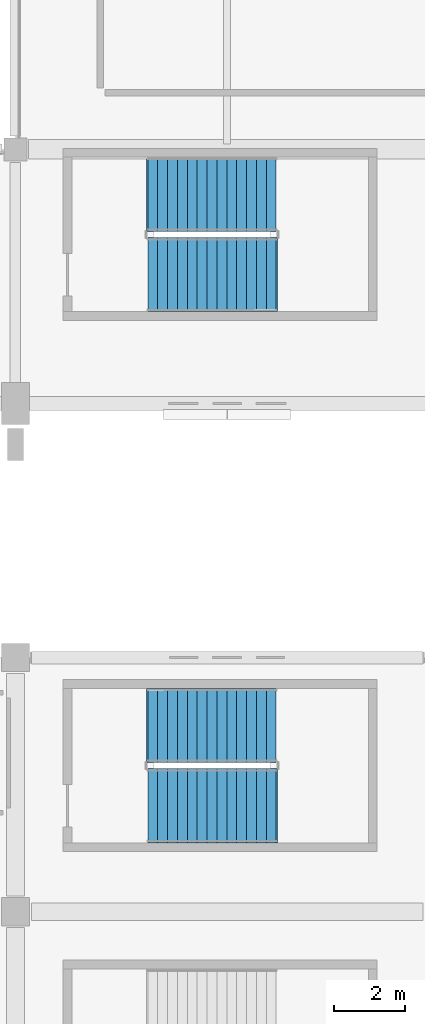
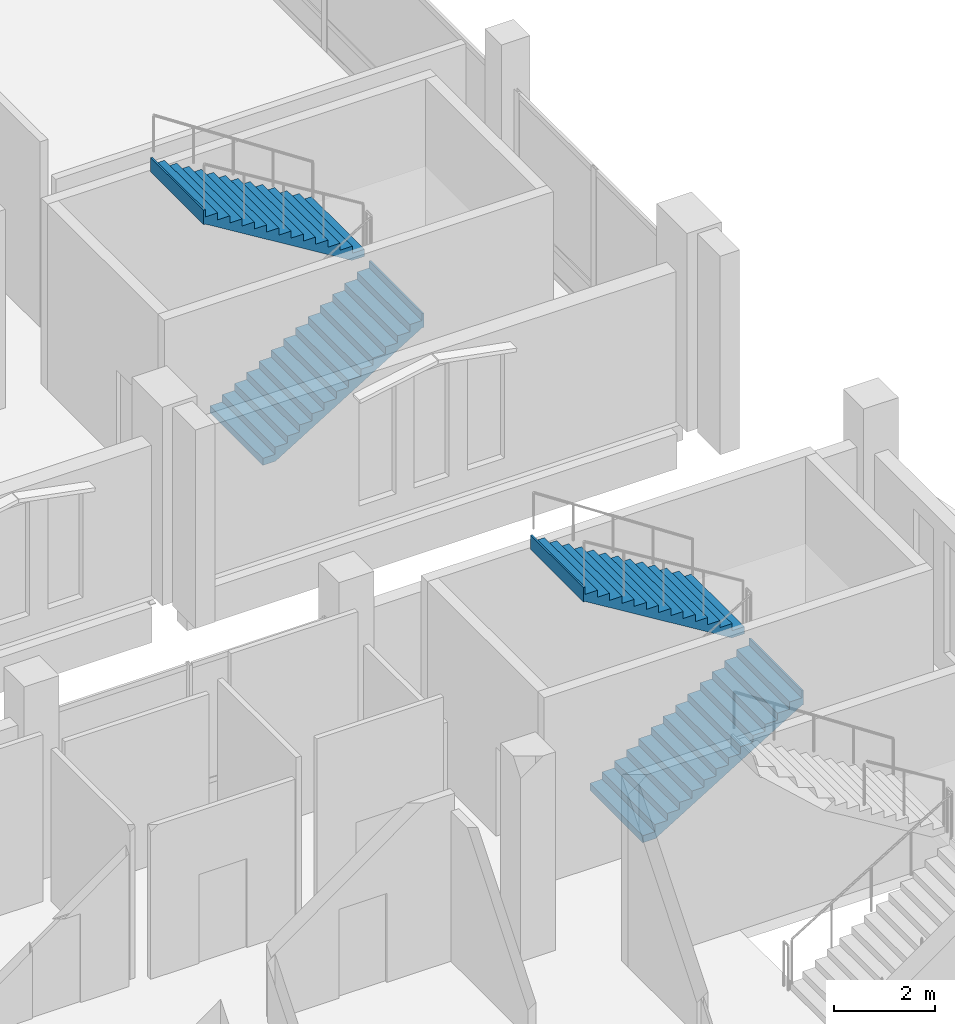
# One storey, part 189 of 220: 4 stair flights, 2 elements without a shape of their own.
"""IFC4 building model written with IfcOpenShell, lengths in metres."""

from ifc_helpers import new_model, si_unit, direction, frame, origin, place, context, subcontext, project, spatial, triangles, material, type_object, element, aggregate, save


model = new_model("IFC4")

# Units and contexts
model_context = context("Model", 3, precision=1e-05, world=origin(), true_north=direction((0.0, 1.0)))
body_context = subcontext(model_context, "Body", "Model", "MODEL_VIEW")
ifc_project = project(units=[si_unit("LENGTHUNIT", "METRE"), si_unit("AREAUNIT", "SQUARE_METRE"), si_unit("VOLUMEUNIT", "CUBIC_METRE"), si_unit("PLANEANGLEUNIT", "RADIAN"), si_unit("MASSUNIT", "GRAM", prefix="KILO")], contexts=[model_context])

# Site, building, storey
site_placement = place(None, origin())
site = spatial("IfcSite", under=ifc_project, at=site_placement, CompositionType="ELEMENT")
building_placement = place(site_placement, origin())
building = spatial("IfcBuilding", under=site, at=building_placement, Name="Cendralis Lancet Convention Centre", CompositionType="ELEMENT")
storey_placement = place(building_placement, frame((0.0, 0.0, 5.39990234375)))
storey = spatial("IfcBuildingStorey", under=building, at=storey_placement, Name="L01", CompositionType="ELEMENT", Elevation=5.39990234375)

# Stair, stair flights
ifc_material = material(Name="Concrete G35 (C35/45)", Category="concrete")
stair_type = type_object("IfcStairType", Name="ARC-ST-CORE", PredefinedType="HALF_TURN_STAIR", material=ifc_material)
stair_1_placement = place(storey_placement, origin())
stair_1 = element("IfcStair", 1, at=stair_1_placement, inside=storey, type_object=stair_type, Name="L01 Protected Exit Stair ST-09", PredefinedType="HALF_TURN_STAIR")
stair_flight_type = type_object("IfcStairFlightType", Name="ARC-SF-CORE", PredefinedType="STRAIGHT", material=ifc_material)
stair_flight_1_placement = place(storey_placement, frame((200.550048828125, 46.85009765625, 0.0), z_axis=(0.0, 0.0, 1.0), x_axis=(1.0, 0.0, 0.0)))
stair_flight_1 = element("IfcStairFlight", 2, at=stair_flight_1_placement, type_object=stair_flight_type, Name="ST-09 flight 1", NumberOfRisers=14, NumberOfTreads=13, PredefinedType="STRAIGHT", RiserHeight=0.171428571, TreadLength=0.28, context=body_context, shape_type="Tessellation", body=[
    triangles([(0.0, 0.0, 0.085714), (0.0, 1.050049, 0.0), (0.0, -1.050049, 0.0), (0.0, -1.050049, 0.171429), (0.0, 1.050049, 0.171429), (0.14, 0.0, 0.171429), (0.28, -1.050049, 0.171429), (0.28, 1.050049, 0.171429), (0.14, 0.0, 0.0), (0.28, -1.050049, 0.0), (0.28, 1.050049, 0.0), (0.28, 0.0, 0.257143), (0.28, -1.050049, 0.342857), (0.28, 1.050049, 0.342857), (0.283543, 0.0, 0.342857), (0.287085, -1.050049, 0.342857), (0.287085, 1.050049, 0.342857), (0.283543, 0.0, 0.0), (0.287085, -1.050049, 0.0), (0.287085, 1.050049, 0.0), (0.423543, 0.0, 0.342857), (0.56, -1.050049, 0.342857), (0.56, 1.050049, 0.342857), (0.423543, 0.0, 0.083545), (0.56, -1.050049, 0.167091), (0.56, 1.050049, 0.167091), (0.56, 0.0, 0.428572), (0.56, -1.050049, 0.514286), (0.56, 1.050049, 0.514286), (0.7, 0.0, 0.514286), (0.84, -1.050049, 0.514286), (0.84, 1.050049, 0.514286), (0.7, 0.0, 0.252806), (0.84, -1.050049, 0.33852), (0.84, 1.050049, 0.33852), (0.84, 0.0, 0.6), (0.84, -1.050049, 0.685714), (0.84, 1.050049, 0.685714), (0.98, 0.0, 0.685714), (1.12, -1.050049, 0.685714), (1.12, 1.050049, 0.685714), (0.98, 0.0, 0.424234), (1.12, -1.050049, 0.509948), (1.12, 1.050049, 0.509948), (1.12, 0.0, 0.771429), (1.12, -1.050049, 0.857143), (1.12, 1.050049, 0.857143), (1.26, 0.0, 0.857143), (1.4, -1.050049, 0.857143), (1.4, 1.050049, 0.857143), (1.26, 0.0, 0.595662), (1.4, -1.050049, 0.681377), (1.4, 1.050049, 0.681377), (1.4, 0.0, 0.942857), (1.4, -1.050049, 1.028571), (1.4, 1.050049, 1.028571), (1.54, 0.0, 1.028571), (1.68, -1.050049, 1.028571), (1.68, 1.050049, 1.028571), (1.54, 0.0, 0.767091), (1.68, -1.050049, 0.852805), (1.68, 1.050049, 0.852805), (1.68, 0.0, 1.114286), (1.68, -1.050049, 1.2), (1.68, 1.050049, 1.2), (1.82, 0.0, 1.2), (1.96, -1.050049, 1.2), (1.96, 1.050049, 1.2), (1.82, 0.0, 0.938519), (1.96, -1.050049, 1.024234), (1.96, 1.050049, 1.024234), (1.96, 0.0, 1.285715), (1.96, -1.050049, 1.371429), (1.96, 1.050049, 1.371429), (2.1, 0.0, 1.371429), (2.24, -1.050049, 1.371429), (2.24, 1.050049, 1.371429), (2.1, 0.0, 1.109948), (2.24, -1.050049, 1.195662), (2.24, 1.050049, 1.195662), (2.24, 0.0, 1.457143), (2.24, -1.050049, 1.542857), (2.24, 1.050049, 1.542857), (2.38, 0.0, 1.542857), (2.52, -1.050049, 1.542857), (2.52, 1.050049, 1.542857), (2.38, 0.0, 1.281376), (2.52, -1.050049, 1.367091), (2.52, 1.050049, 1.367091), (2.52, 0.0, 1.628572), (2.52, -1.050049, 1.714286), (2.52, 1.050049, 1.714286), (2.66, 0.0, 1.714286), (2.8, -1.050049, 1.714286), (2.8, 1.050049, 1.714286), (2.66, 0.0, 1.452806), (2.8, -1.050049, 1.53852), (2.8, 1.050049, 1.53852), (2.8, 0.0, 1.8), (2.8, -1.050049, 1.885714), (2.8, 1.050049, 1.885714), (2.94, 0.0, 1.885714), (3.08, -1.050049, 1.885714), (3.08, 1.050049, 1.885714), (2.94, 0.0, 1.624234), (3.08, -1.050049, 1.709948), (3.08, 1.050049, 1.709948), (3.08, 0.0, 1.971429), (3.08, -1.050049, 2.057143), (3.08, 1.050049, 2.057143), (3.22, 0.0, 2.057143), (3.36, -1.050049, 2.057143), (3.36, 1.050049, 2.057143), (3.22, 0.0, 1.795663), (3.36, -1.050049, 1.881377), (3.36, 1.050049, 1.881377), (3.36, 0.0, 2.142857), (3.36, -1.050049, 2.228571), (3.36, 1.050049, 2.228571), (3.5, 0.0, 2.228571), (3.64, -1.050049, 2.228571), (3.64, 1.050049, 2.228571), (3.5, 0.0, 1.967091), (3.64, -1.050049, 2.052805), (3.64, 1.050049, 2.052805), (3.64, 0.0, 2.314285), (3.64, -1.050049, 2.4), (3.64, 1.050049, 2.4), (3.66, 0.0, 2.4), (3.68, -1.050049, 2.4), (3.68, 1.050049, 2.4), (3.66, 0.0, 2.052805), (3.68, -1.050049, 2.052805), (3.68, 1.050049, 2.052805), (3.68, 0.0, 2.226403)], [[2, 3, 1], [3, 4, 1], [4, 5, 1], [5, 2, 1], [4, 7, 6], [7, 8, 6], [8, 5, 6], [5, 4, 6], [10, 3, 9], [3, 2, 9], [2, 11, 9], [11, 10, 9], [3, 10, 7], [3, 7, 4], [2, 8, 11], [2, 5, 8], [8, 7, 12], [7, 13, 12], [13, 14, 12], [14, 8, 12], [13, 16, 15], [16, 17, 15], [17, 14, 15], [14, 13, 15], [19, 10, 18], [10, 11, 18], [11, 20, 18], [20, 19, 18], [10, 19, 16], [10, 16, 7], [7, 16, 13], [11, 17, 20], [11, 8, 17], [8, 14, 17], [16, 22, 21], [22, 23, 21], [23, 17, 21], [17, 16, 21], [25, 19, 24], [19, 20, 24], [20, 26, 24], [26, 25, 24], [19, 25, 22], [19, 22, 16], [20, 23, 26], [20, 17, 23], [23, 22, 27], [22, 28, 27], [28, 29, 27], [29, 23, 27], [28, 31, 30], [31, 32, 30], [32, 29, 30], [29, 28, 30], [34, 25, 33], [25, 26, 33], [26, 35, 33], [35, 34, 33], [25, 34, 31], [25, 31, 22], [22, 31, 28], [26, 32, 35], [26, 23, 32], [23, 29, 32], [32, 31, 36], [31, 37, 36], [37, 38, 36], [38, 32, 36], [37, 40, 39], [40, 41, 39], [41, 38, 39], [38, 37, 39], [43, 34, 42], [34, 35, 42], [35, 44, 42], [44, 43, 42], [34, 43, 40], [34, 40, 31], [31, 40, 37], [35, 41, 44], [35, 32, 41], [32, 38, 41], [41, 40, 45], [40, 46, 45], [46, 47, 45], [47, 41, 45], [46, 49, 48], [49, 50, 48], [50, 47, 48], [47, 46, 48], [52, 43, 51], [43, 44, 51], [44, 53, 51], [53, 52, 51], [43, 52, 49], [43, 49, 40], [40, 49, 46], [44, 50, 53], [44, 41, 50], [41, 47, 50], [50, 49, 54], [49, 55, 54], [55, 56, 54], [56, 50, 54], [55, 58, 57], [58, 59, 57], [59, 56, 57], [56, 55, 57], [61, 52, 60], [52, 53, 60], [53, 62, 60], [62, 61, 60], [52, 61, 58], [52, 58, 49], [49, 58, 55], [53, 59, 62], [53, 50, 59], [50, 56, 59], [59, 58, 63], [58, 64, 63], [64, 65, 63], [65, 59, 63], [64, 67, 66], [67, 68, 66], [68, 65, 66], [65, 64, 66], [70, 61, 69], [61, 62, 69], [62, 71, 69], [71, 70, 69], [61, 70, 67], [61, 67, 58], [58, 67, 64], [62, 68, 71], [62, 59, 68], [59, 65, 68], [68, 67, 72], [67, 73, 72], [73, 74, 72], [74, 68, 72], [73, 76, 75], [76, 77, 75], [77, 74, 75], [74, 73, 75], [79, 70, 78], [70, 71, 78], [71, 80, 78], [80, 79, 78], [70, 79, 76], [70, 76, 67], [67, 76, 73], [71, 77, 80], [71, 68, 77], [68, 74, 77], [77, 76, 81], [76, 82, 81], [82, 83, 81], [83, 77, 81], [82, 85, 84], [85, 86, 84], [86, 83, 84], [83, 82, 84], [88, 79, 87], [79, 80, 87], [80, 89, 87], [89, 88, 87], [79, 88, 85], [79, 85, 76], [76, 85, 82], [80, 86, 89], [80, 77, 86], [77, 83, 86], [86, 85, 90], [85, 91, 90], [91, 92, 90], [92, 86, 90], [91, 94, 93], [94, 95, 93], [95, 92, 93], [92, 91, 93], [97, 88, 96], [88, 89, 96], [89, 98, 96], [98, 97, 96], [88, 97, 94], [88, 94, 85], [85, 94, 91], [89, 95, 98], [89, 86, 95], [86, 92, 95], [95, 94, 99], [94, 100, 99], [100, 101, 99], [101, 95, 99], [100, 103, 102], [103, 104, 102], [104, 101, 102], [101, 100, 102], [106, 97, 105], [97, 98, 105], [98, 107, 105], [107, 106, 105], [97, 106, 103], [97, 103, 94], [94, 103, 100], [98, 104, 107], [98, 95, 104], [95, 101, 104], [104, 103, 108], [103, 109, 108], [109, 110, 108], [110, 104, 108], [109, 112, 111], [112, 113, 111], [113, 110, 111], [110, 109, 111], [115, 106, 114], [106, 107, 114], [107, 116, 114], [116, 115, 114], [106, 115, 112], [106, 112, 103], [103, 112, 109], [107, 113, 116], [107, 104, 113], [104, 110, 113], [113, 112, 117], [112, 118, 117], [118, 119, 117], [119, 113, 117], [118, 121, 120], [121, 122, 120], [122, 119, 120], [119, 118, 120], [124, 115, 123], [115, 116, 123], [116, 125, 123], [125, 124, 123], [115, 124, 121], [115, 121, 112], [112, 121, 118], [116, 122, 125], [116, 113, 122], [113, 119, 122], [122, 121, 126], [121, 127, 126], [127, 128, 126], [128, 122, 126], [127, 130, 129], [130, 131, 129], [131, 128, 129], [128, 127, 129], [133, 124, 132], [124, 125, 132], [125, 134, 132], [134, 133, 132], [124, 133, 130], [124, 130, 121], [121, 130, 127], [125, 131, 134], [125, 122, 131], [122, 128, 131], [133, 134, 135], [134, 131, 135], [131, 130, 135], [130, 133, 135]], closed=True),
])
stair_flight_2_placement = place(storey_placement, frame((204.18994140625, 49.1298828125, 2.400146484375), z_axis=(0.0, 0.0, 1.0), x_axis=(-1.0, 0.0, 0.0)))
stair_flight_2 = element("IfcStairFlight", 3, at=stair_flight_2_placement, type_object=stair_flight_type, Name="ST-09 flight 2", NumberOfRisers=14, NumberOfTreads=13, PredefinedType="STRAIGHT", RiserHeight=0.171428571, TreadLength=0.28, context=body_context, shape_type="Tessellation", body=[
    triangles([(0.0, 0.0, 0.085714), (0.0, 1.050049, 0.0), (0.0, -1.050049, 0.0), (0.0, -1.050049, 0.171429), (0.0, 1.050049, 0.171429), (0.14, 0.0, 0.171429), (0.28, -1.050049, 0.171429), (0.28, 1.050049, 0.171429), (0.14, 0.0, 0.0), (0.28, -1.050049, 0.0), (0.28, 1.050049, 0.0), (0.28, 0.0, 0.257143), (0.28, -1.050049, 0.342857), (0.28, 1.050049, 0.342857), (0.283543, 0.0, 0.342857), (0.287085, -1.050049, 0.342857), (0.287085, 1.050049, 0.342857), (0.283543, 0.0, 0.0), (0.287085, -1.050049, 0.0), (0.287085, 1.050049, 0.0), (0.423543, 0.0, 0.342857), (0.56, -1.050049, 0.342857), (0.56, 1.050049, 0.342857), (0.423543, 0.0, 0.083545), (0.56, -1.050049, 0.167091), (0.56, 1.050049, 0.167091), (0.56, 0.0, 0.428572), (0.56, -1.050049, 0.514286), (0.56, 1.050049, 0.514286), (0.7, 0.0, 0.514286), (0.84, -1.050049, 0.514286), (0.84, 1.050049, 0.514286), (0.7, 0.0, 0.252806), (0.84, -1.050049, 0.33852), (0.84, 1.050049, 0.33852), (0.84, 0.0, 0.6), (0.84, -1.050049, 0.685714), (0.84, 1.050049, 0.685714), (0.98, 0.0, 0.685714), (1.12, -1.050049, 0.685714), (1.12, 1.050049, 0.685714), (0.98, 0.0, 0.424234), (1.12, -1.050049, 0.509948), (1.12, 1.050049, 0.509948), (1.12, 0.0, 0.771429), (1.12, -1.050049, 0.857143), (1.12, 1.050049, 0.857143), (1.26, 0.0, 0.857143), (1.4, -1.050049, 0.857143), (1.4, 1.050049, 0.857143), (1.26, 0.0, 0.595662), (1.4, -1.050049, 0.681377), (1.4, 1.050049, 0.681377), (1.4, 0.0, 0.942857), (1.4, -1.050049, 1.028571), (1.4, 1.050049, 1.028571), (1.54, 0.0, 1.028571), (1.68, -1.050049, 1.028571), (1.68, 1.050049, 1.028571), (1.54, 0.0, 0.767091), (1.68, -1.050049, 0.852805), (1.68, 1.050049, 0.852805), (1.68, 0.0, 1.114286), (1.68, -1.050049, 1.2), (1.68, 1.050049, 1.2), (1.82, 0.0, 1.2), (1.96, -1.050049, 1.2), (1.96, 1.050049, 1.2), (1.82, 0.0, 0.938519), (1.96, -1.050049, 1.024234), (1.96, 1.050049, 1.024234), (1.96, 0.0, 1.285715), (1.96, -1.050049, 1.371429), (1.96, 1.050049, 1.371429), (2.1, 0.0, 1.371429), (2.24, -1.050049, 1.371429), (2.24, 1.050049, 1.371429), (2.1, 0.0, 1.109948), (2.24, -1.050049, 1.195662), (2.24, 1.050049, 1.195662), (2.24, 0.0, 1.457143), (2.24, -1.050049, 1.542857), (2.24, 1.050049, 1.542857), (2.38, 0.0, 1.542857), (2.52, -1.050049, 1.542857), (2.52, 1.050049, 1.542857), (2.38, 0.0, 1.281376), (2.52, -1.050049, 1.367091), (2.52, 1.050049, 1.367091), (2.52, 0.0, 1.628572), (2.52, -1.050049, 1.714286), (2.52, 1.050049, 1.714286), (2.66, 0.0, 1.714286), (2.8, -1.050049, 1.714286), (2.8, 1.050049, 1.714286), (2.66, 0.0, 1.452806), (2.8, -1.050049, 1.53852), (2.8, 1.050049, 1.53852), (2.8, 0.0, 1.8), (2.8, -1.050049, 1.885714), (2.8, 1.050049, 1.885714), (2.94, 0.0, 1.885714), (3.08, -1.050049, 1.885714), (3.08, 1.050049, 1.885714), (2.94, 0.0, 1.624234), (3.08, -1.050049, 1.709948), (3.08, 1.050049, 1.709948), (3.08, 0.0, 1.971429), (3.08, -1.050049, 2.057143), (3.08, 1.050049, 2.057143), (3.22, 0.0, 2.057143), (3.36, -1.050049, 2.057143), (3.36, 1.050049, 2.057143), (3.22, 0.0, 1.795663), (3.36, -1.050049, 1.881377), (3.36, 1.050049, 1.881377), (3.36, 0.0, 2.142857), (3.36, -1.050049, 2.228571), (3.36, 1.050049, 2.228571), (3.5, 0.0, 2.228571), (3.64, -1.050049, 2.228571), (3.64, 1.050049, 2.228571), (3.5, 0.0, 1.967091), (3.64, -1.050049, 2.052805), (3.64, 1.050049, 2.052805), (3.64, 0.0, 2.314285), (3.64, -1.050049, 2.4), (3.64, 1.050049, 2.4), (3.66, 0.0, 2.4), (3.68, -1.050049, 2.4), (3.68, 1.050049, 2.4), (3.66, 0.0, 2.052805), (3.68, -1.050049, 2.052805), (3.68, 1.050049, 2.052805), (3.68, 0.0, 2.226403)], [[2, 3, 1], [3, 4, 1], [4, 5, 1], [5, 2, 1], [4, 7, 6], [7, 8, 6], [8, 5, 6], [5, 4, 6], [10, 3, 9], [3, 2, 9], [2, 11, 9], [11, 10, 9], [3, 10, 7], [3, 7, 4], [2, 8, 11], [2, 5, 8], [8, 7, 12], [7, 13, 12], [13, 14, 12], [14, 8, 12], [13, 16, 15], [16, 17, 15], [17, 14, 15], [14, 13, 15], [19, 10, 18], [10, 11, 18], [11, 20, 18], [20, 19, 18], [10, 19, 16], [10, 16, 7], [7, 16, 13], [11, 17, 20], [11, 8, 17], [8, 14, 17], [16, 22, 21], [22, 23, 21], [23, 17, 21], [17, 16, 21], [25, 19, 24], [19, 20, 24], [20, 26, 24], [26, 25, 24], [19, 25, 22], [19, 22, 16], [20, 23, 26], [20, 17, 23], [23, 22, 27], [22, 28, 27], [28, 29, 27], [29, 23, 27], [28, 31, 30], [31, 32, 30], [32, 29, 30], [29, 28, 30], [34, 25, 33], [25, 26, 33], [26, 35, 33], [35, 34, 33], [25, 34, 31], [25, 31, 22], [22, 31, 28], [26, 32, 35], [26, 23, 32], [23, 29, 32], [32, 31, 36], [31, 37, 36], [37, 38, 36], [38, 32, 36], [37, 40, 39], [40, 41, 39], [41, 38, 39], [38, 37, 39], [43, 34, 42], [34, 35, 42], [35, 44, 42], [44, 43, 42], [34, 43, 40], [34, 40, 31], [31, 40, 37], [35, 41, 44], [35, 32, 41], [32, 38, 41], [41, 40, 45], [40, 46, 45], [46, 47, 45], [47, 41, 45], [46, 49, 48], [49, 50, 48], [50, 47, 48], [47, 46, 48], [52, 43, 51], [43, 44, 51], [44, 53, 51], [53, 52, 51], [43, 52, 49], [43, 49, 40], [40, 49, 46], [44, 50, 53], [44, 41, 50], [41, 47, 50], [50, 49, 54], [49, 55, 54], [55, 56, 54], [56, 50, 54], [55, 58, 57], [58, 59, 57], [59, 56, 57], [56, 55, 57], [61, 52, 60], [52, 53, 60], [53, 62, 60], [62, 61, 60], [52, 61, 58], [52, 58, 49], [49, 58, 55], [53, 59, 62], [53, 50, 59], [50, 56, 59], [59, 58, 63], [58, 64, 63], [64, 65, 63], [65, 59, 63], [64, 67, 66], [67, 68, 66], [68, 65, 66], [65, 64, 66], [70, 61, 69], [61, 62, 69], [62, 71, 69], [71, 70, 69], [61, 70, 67], [61, 67, 58], [58, 67, 64], [62, 68, 71], [62, 59, 68], [59, 65, 68], [68, 67, 72], [67, 73, 72], [73, 74, 72], [74, 68, 72], [73, 76, 75], [76, 77, 75], [77, 74, 75], [74, 73, 75], [79, 70, 78], [70, 71, 78], [71, 80, 78], [80, 79, 78], [70, 79, 76], [70, 76, 67], [67, 76, 73], [71, 77, 80], [71, 68, 77], [68, 74, 77], [77, 76, 81], [76, 82, 81], [82, 83, 81], [83, 77, 81], [82, 85, 84], [85, 86, 84], [86, 83, 84], [83, 82, 84], [88, 79, 87], [79, 80, 87], [80, 89, 87], [89, 88, 87], [79, 88, 85], [79, 85, 76], [76, 85, 82], [80, 86, 89], [80, 77, 86], [77, 83, 86], [86, 85, 90], [85, 91, 90], [91, 92, 90], [92, 86, 90], [91, 94, 93], [94, 95, 93], [95, 92, 93], [92, 91, 93], [97, 88, 96], [88, 89, 96], [89, 98, 96], [98, 97, 96], [88, 97, 94], [88, 94, 85], [85, 94, 91], [89, 95, 98], [89, 86, 95], [86, 92, 95], [95, 94, 99], [94, 100, 99], [100, 101, 99], [101, 95, 99], [100, 103, 102], [103, 104, 102], [104, 101, 102], [101, 100, 102], [106, 97, 105], [97, 98, 105], [98, 107, 105], [107, 106, 105], [97, 106, 103], [97, 103, 94], [94, 103, 100], [98, 104, 107], [98, 95, 104], [95, 101, 104], [104, 103, 108], [103, 109, 108], [109, 110, 108], [110, 104, 108], [109, 112, 111], [112, 113, 111], [113, 110, 111], [110, 109, 111], [115, 106, 114], [106, 107, 114], [107, 116, 114], [116, 115, 114], [106, 115, 112], [106, 112, 103], [103, 112, 109], [107, 113, 116], [107, 104, 113], [104, 110, 113], [113, 112, 117], [112, 118, 117], [118, 119, 117], [119, 113, 117], [118, 121, 120], [121, 122, 120], [122, 119, 120], [119, 118, 120], [124, 115, 123], [115, 116, 123], [116, 125, 123], [125, 124, 123], [115, 124, 121], [115, 121, 112], [112, 121, 118], [116, 122, 125], [116, 113, 122], [113, 119, 122], [122, 121, 126], [121, 127, 126], [127, 128, 126], [128, 122, 126], [127, 130, 129], [130, 131, 129], [131, 128, 129], [128, 127, 129], [133, 124, 132], [124, 125, 132], [125, 134, 132], [134, 133, 132], [124, 133, 130], [124, 130, 121], [121, 130, 127], [125, 131, 134], [125, 122, 131], [122, 128, 131], [133, 134, 135], [134, 131, 135], [131, 130, 135], [130, 133, 135]], closed=True),
])
aggregate(stair_1, [stair_flight_1, stair_flight_2])

stair_2_placement = place(storey_placement, origin())
stair_2 = element("IfcStair", 4, at=stair_2_placement, inside=storey, type_object=stair_type, Name="L01 Protected Exit Stair ST-16", PredefinedType="HALF_TURN_STAIR")
stair_flight_3_placement = place(storey_placement, frame((200.550048828125, 31.800048828125, 0.0), z_axis=(0.0, 0.0, 1.0), x_axis=(1.0, 0.0, 0.0)))
stair_flight_3 = element("IfcStairFlight", 5, at=stair_flight_3_placement, type_object=stair_flight_type, Name="ST-16 flight 1", NumberOfRisers=14, NumberOfTreads=13, PredefinedType="STRAIGHT", RiserHeight=0.171428571, TreadLength=0.28, context=body_context, shape_type="Tessellation", body=[
    triangles([(0.0, 0.0, 0.085714), (0.0, 1.050049, 0.0), (0.0, -1.050049, 0.0), (0.0, -1.050049, 0.171429), (0.0, 1.050049, 0.171429), (0.14, 0.0, 0.171429), (0.28, -1.050049, 0.171429), (0.28, 1.050049, 0.171429), (0.14, 0.0, 0.0), (0.28, -1.050049, 0.0), (0.28, 1.050049, 0.0), (0.28, 0.0, 0.257143), (0.28, -1.050049, 0.342857), (0.28, 1.050049, 0.342857), (0.283543, 0.0, 0.342857), (0.287085, -1.050049, 0.342857), (0.287085, 1.050049, 0.342857), (0.283543, 0.0, 0.0), (0.287085, -1.050049, 0.0), (0.287085, 1.050049, 0.0), (0.423543, 0.0, 0.342857), (0.56, -1.050049, 0.342857), (0.56, 1.050049, 0.342857), (0.423543, 0.0, 0.083545), (0.56, -1.050049, 0.167091), (0.56, 1.050049, 0.167091), (0.56, 0.0, 0.428572), (0.56, -1.050049, 0.514286), (0.56, 1.050049, 0.514286), (0.7, 0.0, 0.514286), (0.84, -1.050049, 0.514286), (0.84, 1.050049, 0.514286), (0.7, 0.0, 0.252806), (0.84, -1.050049, 0.33852), (0.84, 1.050049, 0.33852), (0.84, 0.0, 0.6), (0.84, -1.050049, 0.685714), (0.84, 1.050049, 0.685714), (0.98, 0.0, 0.685714), (1.12, -1.050049, 0.685714), (1.12, 1.050049, 0.685714), (0.98, 0.0, 0.424234), (1.12, -1.050049, 0.509948), (1.12, 1.050049, 0.509948), (1.12, 0.0, 0.771429), (1.12, -1.050049, 0.857143), (1.12, 1.050049, 0.857143), (1.26, 0.0, 0.857143), (1.4, -1.050049, 0.857143), (1.4, 1.050049, 0.857143), (1.26, 0.0, 0.595662), (1.4, -1.050049, 0.681377), (1.4, 1.050049, 0.681377), (1.4, 0.0, 0.942857), (1.4, -1.050049, 1.028571), (1.4, 1.050049, 1.028571), (1.54, 0.0, 1.028571), (1.68, -1.050049, 1.028571), (1.68, 1.050049, 1.028571), (1.54, 0.0, 0.767091), (1.68, -1.050049, 0.852805), (1.68, 1.050049, 0.852805), (1.68, 0.0, 1.114286), (1.68, -1.050049, 1.2), (1.68, 1.050049, 1.2), (1.82, 0.0, 1.2), (1.96, -1.050049, 1.2), (1.96, 1.050049, 1.2), (1.82, 0.0, 0.938519), (1.96, -1.050049, 1.024234), (1.96, 1.050049, 1.024234), (1.96, 0.0, 1.285715), (1.96, -1.050049, 1.371429), (1.96, 1.050049, 1.371429), (2.1, 0.0, 1.371429), (2.24, -1.050049, 1.371429), (2.24, 1.050049, 1.371429), (2.1, 0.0, 1.109948), (2.24, -1.050049, 1.195662), (2.24, 1.050049, 1.195662), (2.24, 0.0, 1.457143), (2.24, -1.050049, 1.542857), (2.24, 1.050049, 1.542857), (2.38, 0.0, 1.542857), (2.52, -1.050049, 1.542857), (2.52, 1.050049, 1.542857), (2.38, 0.0, 1.281376), (2.52, -1.050049, 1.367091), (2.52, 1.050049, 1.367091), (2.52, 0.0, 1.628572), (2.52, -1.050049, 1.714286), (2.52, 1.050049, 1.714286), (2.66, 0.0, 1.714286), (2.8, -1.050049, 1.714286), (2.8, 1.050049, 1.714286), (2.66, 0.0, 1.452806), (2.8, -1.050049, 1.53852), (2.8, 1.050049, 1.53852), (2.8, 0.0, 1.8), (2.8, -1.050049, 1.885714), (2.8, 1.050049, 1.885714), (2.94, 0.0, 1.885714), (3.08, -1.050049, 1.885714), (3.08, 1.050049, 1.885714), (2.94, 0.0, 1.624234), (3.08, -1.050049, 1.709948), (3.08, 1.050049, 1.709948), (3.08, 0.0, 1.971429), (3.08, -1.050049, 2.057143), (3.08, 1.050049, 2.057143), (3.22, 0.0, 2.057143), (3.36, -1.050049, 2.057143), (3.36, 1.050049, 2.057143), (3.22, 0.0, 1.795663), (3.36, -1.050049, 1.881377), (3.36, 1.050049, 1.881377), (3.36, 0.0, 2.142857), (3.36, -1.050049, 2.228571), (3.36, 1.050049, 2.228571), (3.5, 0.0, 2.228571), (3.64, -1.050049, 2.228571), (3.64, 1.050049, 2.228571), (3.5, 0.0, 1.967091), (3.64, -1.050049, 2.052805), (3.64, 1.050049, 2.052805), (3.64, 0.0, 2.314285), (3.64, -1.050049, 2.4), (3.64, 1.050049, 2.4), (3.66, 0.0, 2.4), (3.68, -1.050049, 2.4), (3.68, 1.050049, 2.4), (3.66, 0.0, 2.052805), (3.68, -1.050049, 2.052805), (3.68, 1.050049, 2.052805), (3.68, 0.0, 2.226403)], [[2, 3, 1], [3, 4, 1], [4, 5, 1], [5, 2, 1], [4, 7, 6], [7, 8, 6], [8, 5, 6], [5, 4, 6], [10, 3, 9], [3, 2, 9], [2, 11, 9], [11, 10, 9], [3, 10, 7], [3, 7, 4], [2, 8, 11], [2, 5, 8], [8, 7, 12], [7, 13, 12], [13, 14, 12], [14, 8, 12], [13, 16, 15], [16, 17, 15], [17, 14, 15], [14, 13, 15], [19, 10, 18], [10, 11, 18], [11, 20, 18], [20, 19, 18], [10, 19, 16], [10, 16, 7], [7, 16, 13], [11, 17, 20], [11, 8, 17], [8, 14, 17], [16, 22, 21], [22, 23, 21], [23, 17, 21], [17, 16, 21], [25, 19, 24], [19, 20, 24], [20, 26, 24], [26, 25, 24], [19, 25, 22], [19, 22, 16], [20, 23, 26], [20, 17, 23], [23, 22, 27], [22, 28, 27], [28, 29, 27], [29, 23, 27], [28, 31, 30], [31, 32, 30], [32, 29, 30], [29, 28, 30], [34, 25, 33], [25, 26, 33], [26, 35, 33], [35, 34, 33], [25, 34, 31], [25, 31, 22], [22, 31, 28], [26, 32, 35], [26, 23, 32], [23, 29, 32], [32, 31, 36], [31, 37, 36], [37, 38, 36], [38, 32, 36], [37, 40, 39], [40, 41, 39], [41, 38, 39], [38, 37, 39], [43, 34, 42], [34, 35, 42], [35, 44, 42], [44, 43, 42], [34, 43, 40], [34, 40, 31], [31, 40, 37], [35, 41, 44], [35, 32, 41], [32, 38, 41], [41, 40, 45], [40, 46, 45], [46, 47, 45], [47, 41, 45], [46, 49, 48], [49, 50, 48], [50, 47, 48], [47, 46, 48], [52, 43, 51], [43, 44, 51], [44, 53, 51], [53, 52, 51], [43, 52, 49], [43, 49, 40], [40, 49, 46], [44, 50, 53], [44, 41, 50], [41, 47, 50], [50, 49, 54], [49, 55, 54], [55, 56, 54], [56, 50, 54], [55, 58, 57], [58, 59, 57], [59, 56, 57], [56, 55, 57], [61, 52, 60], [52, 53, 60], [53, 62, 60], [62, 61, 60], [52, 61, 58], [52, 58, 49], [49, 58, 55], [53, 59, 62], [53, 50, 59], [50, 56, 59], [59, 58, 63], [58, 64, 63], [64, 65, 63], [65, 59, 63], [64, 67, 66], [67, 68, 66], [68, 65, 66], [65, 64, 66], [70, 61, 69], [61, 62, 69], [62, 71, 69], [71, 70, 69], [61, 70, 67], [61, 67, 58], [58, 67, 64], [62, 68, 71], [62, 59, 68], [59, 65, 68], [68, 67, 72], [67, 73, 72], [73, 74, 72], [74, 68, 72], [73, 76, 75], [76, 77, 75], [77, 74, 75], [74, 73, 75], [79, 70, 78], [70, 71, 78], [71, 80, 78], [80, 79, 78], [70, 79, 76], [70, 76, 67], [67, 76, 73], [71, 77, 80], [71, 68, 77], [68, 74, 77], [77, 76, 81], [76, 82, 81], [82, 83, 81], [83, 77, 81], [82, 85, 84], [85, 86, 84], [86, 83, 84], [83, 82, 84], [88, 79, 87], [79, 80, 87], [80, 89, 87], [89, 88, 87], [79, 88, 85], [79, 85, 76], [76, 85, 82], [80, 86, 89], [80, 77, 86], [77, 83, 86], [86, 85, 90], [85, 91, 90], [91, 92, 90], [92, 86, 90], [91, 94, 93], [94, 95, 93], [95, 92, 93], [92, 91, 93], [97, 88, 96], [88, 89, 96], [89, 98, 96], [98, 97, 96], [88, 97, 94], [88, 94, 85], [85, 94, 91], [89, 95, 98], [89, 86, 95], [86, 92, 95], [95, 94, 99], [94, 100, 99], [100, 101, 99], [101, 95, 99], [100, 103, 102], [103, 104, 102], [104, 101, 102], [101, 100, 102], [106, 97, 105], [97, 98, 105], [98, 107, 105], [107, 106, 105], [97, 106, 103], [97, 103, 94], [94, 103, 100], [98, 104, 107], [98, 95, 104], [95, 101, 104], [104, 103, 108], [103, 109, 108], [109, 110, 108], [110, 104, 108], [109, 112, 111], [112, 113, 111], [113, 110, 111], [110, 109, 111], [115, 106, 114], [106, 107, 114], [107, 116, 114], [116, 115, 114], [106, 115, 112], [106, 112, 103], [103, 112, 109], [107, 113, 116], [107, 104, 113], [104, 110, 113], [113, 112, 117], [112, 118, 117], [118, 119, 117], [119, 113, 117], [118, 121, 120], [121, 122, 120], [122, 119, 120], [119, 118, 120], [124, 115, 123], [115, 116, 123], [116, 125, 123], [125, 124, 123], [115, 124, 121], [115, 121, 112], [112, 121, 118], [116, 122, 125], [116, 113, 122], [113, 119, 122], [122, 121, 126], [121, 127, 126], [127, 128, 126], [128, 122, 126], [127, 130, 129], [130, 131, 129], [131, 128, 129], [128, 127, 129], [133, 124, 132], [124, 125, 132], [125, 134, 132], [134, 133, 132], [124, 133, 130], [124, 130, 121], [121, 130, 127], [125, 131, 134], [125, 122, 131], [122, 128, 131], [133, 134, 135], [134, 131, 135], [131, 130, 135], [130, 133, 135]], closed=True),
])
stair_flight_4_placement = place(storey_placement, frame((204.18994140625, 34.080078125, 2.400146484375), z_axis=(0.0, 0.0, 1.0), x_axis=(-1.0, 0.0, 0.0)))
stair_flight_4 = element("IfcStairFlight", 6, at=stair_flight_4_placement, type_object=stair_flight_type, Name="ST-16 flight 2", NumberOfRisers=14, NumberOfTreads=13, PredefinedType="STRAIGHT", RiserHeight=0.171428571, TreadLength=0.28, context=body_context, shape_type="Tessellation", body=[
    triangles([(0.0, 0.0, 0.085714), (0.0, 1.050049, 0.0), (0.0, -1.050049, 0.0), (0.0, -1.050049, 0.171429), (0.0, 1.050049, 0.171429), (0.14, 0.0, 0.171429), (0.28, -1.050049, 0.171429), (0.28, 1.050049, 0.171429), (0.14, 0.0, 0.0), (0.28, -1.050049, 0.0), (0.28, 1.050049, 0.0), (0.28, 0.0, 0.257143), (0.28, -1.050049, 0.342857), (0.28, 1.050049, 0.342857), (0.283543, 0.0, 0.342857), (0.287085, -1.050049, 0.342857), (0.287085, 1.050049, 0.342857), (0.283543, 0.0, 0.0), (0.287085, -1.050049, 0.0), (0.287085, 1.050049, 0.0), (0.423543, 0.0, 0.342857), (0.56, -1.050049, 0.342857), (0.56, 1.050049, 0.342857), (0.423543, 0.0, 0.083545), (0.56, -1.050049, 0.167091), (0.56, 1.050049, 0.167091), (0.56, 0.0, 0.428572), (0.56, -1.050049, 0.514286), (0.56, 1.050049, 0.514286), (0.7, 0.0, 0.514286), (0.84, -1.050049, 0.514286), (0.84, 1.050049, 0.514286), (0.7, 0.0, 0.252806), (0.84, -1.050049, 0.33852), (0.84, 1.050049, 0.33852), (0.84, 0.0, 0.6), (0.84, -1.050049, 0.685714), (0.84, 1.050049, 0.685714), (0.98, 0.0, 0.685714), (1.12, -1.050049, 0.685714), (1.12, 1.050049, 0.685714), (0.98, 0.0, 0.424234), (1.12, -1.050049, 0.509948), (1.12, 1.050049, 0.509948), (1.12, 0.0, 0.771429), (1.12, -1.050049, 0.857143), (1.12, 1.050049, 0.857143), (1.26, 0.0, 0.857143), (1.4, -1.050049, 0.857143), (1.4, 1.050049, 0.857143), (1.26, 0.0, 0.595662), (1.4, -1.050049, 0.681377), (1.4, 1.050049, 0.681377), (1.4, 0.0, 0.942857), (1.4, -1.050049, 1.028571), (1.4, 1.050049, 1.028571), (1.54, 0.0, 1.028571), (1.68, -1.050049, 1.028571), (1.68, 1.050049, 1.028571), (1.54, 0.0, 0.767091), (1.68, -1.050049, 0.852805), (1.68, 1.050049, 0.852805), (1.68, 0.0, 1.114286), (1.68, -1.050049, 1.2), (1.68, 1.050049, 1.2), (1.82, 0.0, 1.2), (1.96, -1.050049, 1.2), (1.96, 1.050049, 1.2), (1.82, 0.0, 0.938519), (1.96, -1.050049, 1.024234), (1.96, 1.050049, 1.024234), (1.96, 0.0, 1.285715), (1.96, -1.050049, 1.371429), (1.96, 1.050049, 1.371429), (2.1, 0.0, 1.371429), (2.24, -1.050049, 1.371429), (2.24, 1.050049, 1.371429), (2.1, 0.0, 1.109948), (2.24, -1.050049, 1.195662), (2.24, 1.050049, 1.195662), (2.24, 0.0, 1.457143), (2.24, -1.050049, 1.542857), (2.24, 1.050049, 1.542857), (2.38, 0.0, 1.542857), (2.52, -1.050049, 1.542857), (2.52, 1.050049, 1.542857), (2.38, 0.0, 1.281376), (2.52, -1.050049, 1.367091), (2.52, 1.050049, 1.367091), (2.52, 0.0, 1.628572), (2.52, -1.050049, 1.714286), (2.52, 1.050049, 1.714286), (2.66, 0.0, 1.714286), (2.8, -1.050049, 1.714286), (2.8, 1.050049, 1.714286), (2.66, 0.0, 1.452806), (2.8, -1.050049, 1.53852), (2.8, 1.050049, 1.53852), (2.8, 0.0, 1.8), (2.8, -1.050049, 1.885714), (2.8, 1.050049, 1.885714), (2.94, 0.0, 1.885714), (3.08, -1.050049, 1.885714), (3.08, 1.050049, 1.885714), (2.94, 0.0, 1.624234), (3.08, -1.050049, 1.709948), (3.08, 1.050049, 1.709948), (3.08, 0.0, 1.971429), (3.08, -1.050049, 2.057143), (3.08, 1.050049, 2.057143), (3.22, 0.0, 2.057143), (3.36, -1.050049, 2.057143), (3.36, 1.050049, 2.057143), (3.22, 0.0, 1.795663), (3.36, -1.050049, 1.881377), (3.36, 1.050049, 1.881377), (3.36, 0.0, 2.142857), (3.36, -1.050049, 2.228571), (3.36, 1.050049, 2.228571), (3.5, 0.0, 2.228571), (3.64, -1.050049, 2.228571), (3.64, 1.050049, 2.228571), (3.5, 0.0, 1.967091), (3.64, -1.050049, 2.052805), (3.64, 1.050049, 2.052805), (3.64, 0.0, 2.314285), (3.64, -1.050049, 2.4), (3.64, 1.050049, 2.4), (3.66, 0.0, 2.4), (3.68, -1.050049, 2.4), (3.68, 1.050049, 2.4), (3.66, 0.0, 2.052805), (3.68, -1.050049, 2.052805), (3.68, 1.050049, 2.052805), (3.68, 0.0, 2.226403)], [[2, 3, 1], [3, 4, 1], [4, 5, 1], [5, 2, 1], [4, 7, 6], [7, 8, 6], [8, 5, 6], [5, 4, 6], [10, 3, 9], [3, 2, 9], [2, 11, 9], [11, 10, 9], [3, 10, 7], [3, 7, 4], [2, 8, 11], [2, 5, 8], [8, 7, 12], [7, 13, 12], [13, 14, 12], [14, 8, 12], [13, 16, 15], [16, 17, 15], [17, 14, 15], [14, 13, 15], [19, 10, 18], [10, 11, 18], [11, 20, 18], [20, 19, 18], [10, 19, 16], [10, 16, 7], [7, 16, 13], [11, 17, 20], [11, 8, 17], [8, 14, 17], [16, 22, 21], [22, 23, 21], [23, 17, 21], [17, 16, 21], [25, 19, 24], [19, 20, 24], [20, 26, 24], [26, 25, 24], [19, 25, 22], [19, 22, 16], [20, 23, 26], [20, 17, 23], [23, 22, 27], [22, 28, 27], [28, 29, 27], [29, 23, 27], [28, 31, 30], [31, 32, 30], [32, 29, 30], [29, 28, 30], [34, 25, 33], [25, 26, 33], [26, 35, 33], [35, 34, 33], [25, 34, 31], [25, 31, 22], [22, 31, 28], [26, 32, 35], [26, 23, 32], [23, 29, 32], [32, 31, 36], [31, 37, 36], [37, 38, 36], [38, 32, 36], [37, 40, 39], [40, 41, 39], [41, 38, 39], [38, 37, 39], [43, 34, 42], [34, 35, 42], [35, 44, 42], [44, 43, 42], [34, 43, 40], [34, 40, 31], [31, 40, 37], [35, 41, 44], [35, 32, 41], [32, 38, 41], [41, 40, 45], [40, 46, 45], [46, 47, 45], [47, 41, 45], [46, 49, 48], [49, 50, 48], [50, 47, 48], [47, 46, 48], [52, 43, 51], [43, 44, 51], [44, 53, 51], [53, 52, 51], [43, 52, 49], [43, 49, 40], [40, 49, 46], [44, 50, 53], [44, 41, 50], [41, 47, 50], [50, 49, 54], [49, 55, 54], [55, 56, 54], [56, 50, 54], [55, 58, 57], [58, 59, 57], [59, 56, 57], [56, 55, 57], [61, 52, 60], [52, 53, 60], [53, 62, 60], [62, 61, 60], [52, 61, 58], [52, 58, 49], [49, 58, 55], [53, 59, 62], [53, 50, 59], [50, 56, 59], [59, 58, 63], [58, 64, 63], [64, 65, 63], [65, 59, 63], [64, 67, 66], [67, 68, 66], [68, 65, 66], [65, 64, 66], [70, 61, 69], [61, 62, 69], [62, 71, 69], [71, 70, 69], [61, 70, 67], [61, 67, 58], [58, 67, 64], [62, 68, 71], [62, 59, 68], [59, 65, 68], [68, 67, 72], [67, 73, 72], [73, 74, 72], [74, 68, 72], [73, 76, 75], [76, 77, 75], [77, 74, 75], [74, 73, 75], [79, 70, 78], [70, 71, 78], [71, 80, 78], [80, 79, 78], [70, 79, 76], [70, 76, 67], [67, 76, 73], [71, 77, 80], [71, 68, 77], [68, 74, 77], [77, 76, 81], [76, 82, 81], [82, 83, 81], [83, 77, 81], [82, 85, 84], [85, 86, 84], [86, 83, 84], [83, 82, 84], [88, 79, 87], [79, 80, 87], [80, 89, 87], [89, 88, 87], [79, 88, 85], [79, 85, 76], [76, 85, 82], [80, 86, 89], [80, 77, 86], [77, 83, 86], [86, 85, 90], [85, 91, 90], [91, 92, 90], [92, 86, 90], [91, 94, 93], [94, 95, 93], [95, 92, 93], [92, 91, 93], [97, 88, 96], [88, 89, 96], [89, 98, 96], [98, 97, 96], [88, 97, 94], [88, 94, 85], [85, 94, 91], [89, 95, 98], [89, 86, 95], [86, 92, 95], [95, 94, 99], [94, 100, 99], [100, 101, 99], [101, 95, 99], [100, 103, 102], [103, 104, 102], [104, 101, 102], [101, 100, 102], [106, 97, 105], [97, 98, 105], [98, 107, 105], [107, 106, 105], [97, 106, 103], [97, 103, 94], [94, 103, 100], [98, 104, 107], [98, 95, 104], [95, 101, 104], [104, 103, 108], [103, 109, 108], [109, 110, 108], [110, 104, 108], [109, 112, 111], [112, 113, 111], [113, 110, 111], [110, 109, 111], [115, 106, 114], [106, 107, 114], [107, 116, 114], [116, 115, 114], [106, 115, 112], [106, 112, 103], [103, 112, 109], [107, 113, 116], [107, 104, 113], [104, 110, 113], [113, 112, 117], [112, 118, 117], [118, 119, 117], [119, 113, 117], [118, 121, 120], [121, 122, 120], [122, 119, 120], [119, 118, 120], [124, 115, 123], [115, 116, 123], [116, 125, 123], [125, 124, 123], [115, 124, 121], [115, 121, 112], [112, 121, 118], [116, 122, 125], [116, 113, 122], [113, 119, 122], [122, 121, 126], [121, 127, 126], [127, 128, 126], [128, 122, 126], [127, 130, 129], [130, 131, 129], [131, 128, 129], [128, 127, 129], [133, 124, 132], [124, 125, 132], [125, 134, 132], [134, 133, 132], [124, 133, 130], [124, 130, 121], [121, 130, 127], [125, 131, 134], [125, 122, 131], [122, 128, 131], [133, 134, 135], [134, 131, 135], [131, 130, 135], [130, 133, 135]], closed=True),
])
aggregate(stair_2, [stair_flight_3, stair_flight_4])

save(model, "model.ifc")
